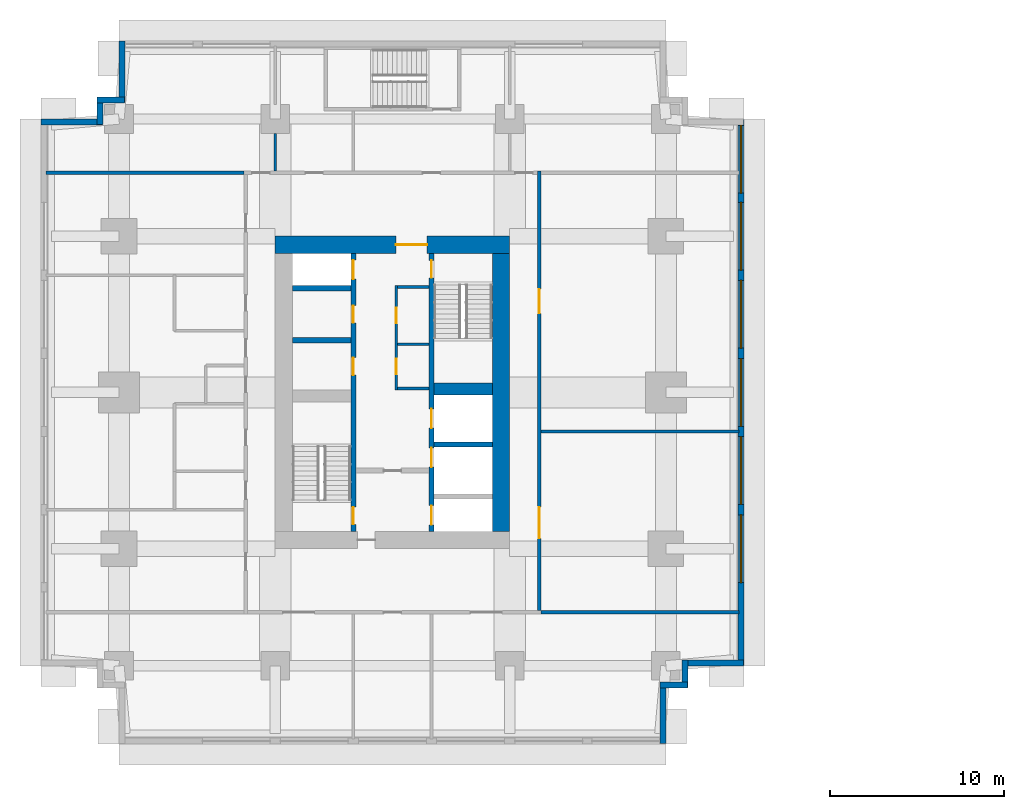
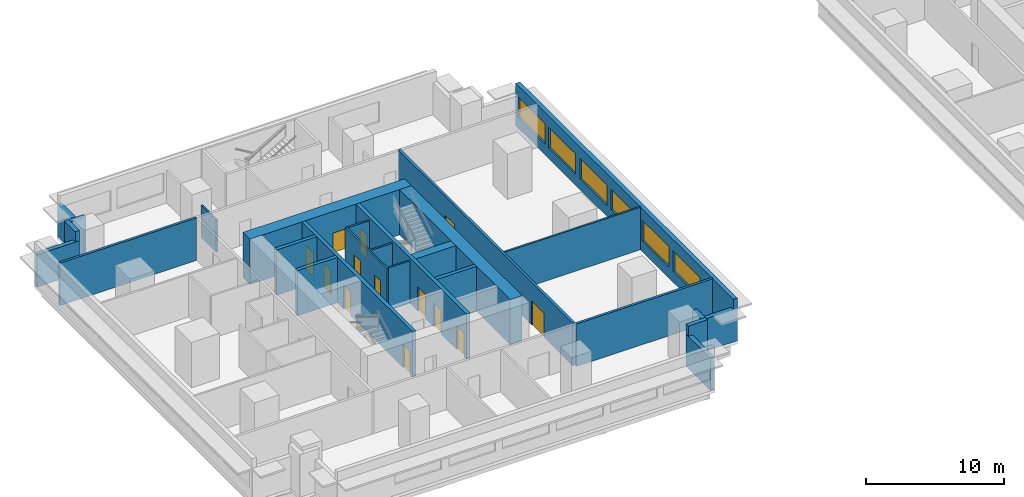
# One storey, part 4 of 11: 26 walls, 13 doors, 6 windows, 19 openings.
"""IFC4 building model written with IfcOpenShell, lengths in metres."""

from ifc_helpers import new_model, si_unit, direction, frame, frame_2d, origin, place, context, subcontext, project, spatial, rectangle, extrude, material, layer, layer_set, type_object, element, fill, save


model = new_model("IFC4")

# Units and contexts
model_context = context("Model", 3, precision=1e-05, world=origin(), true_north=direction((0.0, 1.0)))
body_context = subcontext(model_context, "Body", "Model", "MODEL_VIEW")
ifc_project = project(units=[si_unit("LENGTHUNIT", "METRE"), si_unit("AREAUNIT", "SQUARE_METRE"), si_unit("VOLUMEUNIT", "CUBIC_METRE"), si_unit("PLANEANGLEUNIT", "RADIAN"), si_unit("MASSUNIT", "GRAM", prefix="KILO")], contexts=[model_context])

# Site, building, storey
site_placement = place(None, origin())
site = spatial("IfcSite", under=ifc_project, at=site_placement, CompositionType="ELEMENT")
building_placement = place(site_placement, origin())
building = spatial("IfcBuilding", under=site, at=building_placement, Name="Namib Vertical Campus", CompositionType="ELEMENT")
storey_placement = place(building_placement, frame((0.0, 0.0, 193.0)))
storey = spatial("IfcBuildingStorey", under=building, at=storey_placement, Name="L45", CompositionType="ELEMENT", Elevation=193.0)

# Wall, openings, doors
ifc_material_1 = material(Name="Concrete C60/75", Category="concrete")
ifc_layer_1 = layer(ifc_material_1, 0.300048828125)
ifc_layer_set_1 = layer_set([ifc_layer_1], Name="Concrete C60/75")
wall_type_1 = type_object("IfcWallType", Name="Core inner wall 300", PredefinedType="SHEAR", material=ifc_layer_set_1)
wall_1_placement = place(storey_placement, frame((18.0, 12.25, 0.0), z_axis=(0.0, 0.0, 1.0), x_axis=(0.0, 1.0, 0.0)))
wall_1 = element("IfcWall", 1, at=wall_1_placement, inside=storey, type_object=wall_type_1, Name="Core inner wall A L45 W1", PredefinedType="SHEAR", context=body_context, shape_type="SweptSolid", body=[
    extrude(rectangle(XDim=16.0, YDim=0.300048828125, at=frame_2d((8.0, 0.0))), origin(), (0.0, 0.0, 1.0), 4.0),
])
opening_1_placement = place(wall_1_placement, frame((0.39990234375, 0.0, 0.0)))
opening_1 = element("IfcOpeningElement", 2, at=opening_1_placement, cuts=wall_1, Name="Opening FD1", PredefinedType="OPENING", context=body_context, shape_type="SweptSolid", body=[
    extrude(rectangle(XDim=1.0, YDim=2.10009765625, at=frame_2d((0.5, 1.050048828125))), frame((0.0, 0.159912109375, 0.0), z_axis=(0.0, -1.0, 0.0), x_axis=(1.0, 0.0, 0.0)), (0.0, 0.0, 1.0), 0.320068359375),
])
opening_2_placement = place(wall_1_placement, frame((14.52490234375, 0.0, 0.0)))
opening_2 = element("IfcOpeningElement", 3, at=opening_2_placement, cuts=wall_1, Name="Opening LD1", PredefinedType="OPENING", context=body_context, shape_type="SweptSolid", body=[
    extrude(rectangle(XDim=1.10009765625, YDim=2.10009765625, at=frame_2d((0.550048828125, 1.050048828125))), frame((0.0, 0.159912109375, 0.0), z_axis=(0.0, -1.0, 0.0), x_axis=(1.0, 0.0, 0.0)), (0.0, 0.0, 1.0), 0.320068359375),
])
opening_3_placement = place(wall_1_placement, frame((9.0, 0.0, 0.0)))
opening_3 = element("IfcOpeningElement", 4, at=opening_3_placement, cuts=wall_1, Name="Opening D1", PredefinedType="OPENING", context=body_context, shape_type="SweptSolid", body=[
    extrude(rectangle(XDim=1.0, YDim=2.10009765625, at=frame_2d((0.5, 1.050048828125))), frame((0.0, 0.159912109375, 0.0), z_axis=(0.0, -1.0, 0.0), x_axis=(1.0, 0.0, 0.0)), (0.0, 0.0, 1.0), 0.320068359375),
])
opening_4_placement = place(wall_1_placement, frame((12.0, 0.0, 0.0)))
opening_4 = element("IfcOpeningElement", 5, at=opening_4_placement, cuts=wall_1, Name="Opening D1", PredefinedType="OPENING", context=body_context, shape_type="SweptSolid", body=[
    extrude(rectangle(XDim=1.0, YDim=2.10009765625, at=frame_2d((0.5, 1.050048828125))), frame((0.0, 0.159912109375, 0.0), z_axis=(0.0, -1.0, 0.0), x_axis=(1.0, 0.0, 0.0)), (0.0, 0.0, 1.0), 0.320068359375),
])
ifc_material_2 = material(Name="Timber door leaf", Category="wood")
door_type_1 = type_object("IfcDoorType", Name="Door single 1000x2100", OperationType="SINGLE_SWING_LEFT", PredefinedType="DOOR", material=ifc_material_2)
door_1_placement = place(opening_3_placement, origin())
door_1 = element("IfcDoor", 6, at=door_1_placement, inside=storey, type_object=door_type_1, Name="Door D1 Store A L45 P1", OperationType="SINGLE_SWING_LEFT", OverallHeight=2.10009765625, OverallWidth=1.0, PredefinedType="DOOR", context=body_context, shape_type="SweptSolid", body=[
    extrude(rectangle(XDim=1.0, YDim=2.10009765625, at=frame_2d((0.5, 1.050048828125))), frame((0.0, 0.02490234375, 0.0), z_axis=(0.0, -1.0, 0.0), x_axis=(1.0, 0.0, 0.0)), (0.0, 0.0, 1.0), 0.050048828125),
])
fill(opening_3, door_1)
door_2_placement = place(opening_4_placement, origin())
door_2 = element("IfcDoor", 7, at=door_2_placement, inside=storey, type_object=door_type_1, Name="Door D1 Comms room A L45 P2", OperationType="SINGLE_SWING_LEFT", OverallHeight=2.10009765625, OverallWidth=1.0, PredefinedType="DOOR", context=body_context, shape_type="SweptSolid", body=[
    extrude(rectangle(XDim=1.0, YDim=2.10009765625, at=frame_2d((0.5, 1.050048828125))), frame((0.0, 0.02490234375, 0.0), z_axis=(0.0, -1.0, 0.0), x_axis=(1.0, 0.0, 0.0)), (0.0, 0.0, 1.0), 0.050048828125),
])
fill(opening_4, door_2)
ifc_material_3 = material(Name="Steel fire door", Category="steel")
door_type_2 = type_object("IfcDoorType", Name="Fire door 1000x2100", OperationType="SINGLE_SWING_RIGHT", PredefinedType="DOOR", material=ifc_material_3)
door_3_placement = place(opening_1_placement, origin())
door_3 = element("IfcDoor", 8, at=door_3_placement, inside=storey, type_object=door_type_2, Name="Stair door FD1 A L45 S1", OperationType="SINGLE_SWING_LEFT", OverallHeight=2.10009765625, OverallWidth=1.0, PredefinedType="DOOR", context=body_context, shape_type="SweptSolid", body=[
    extrude(rectangle(XDim=1.0, YDim=2.10009765625, at=frame_2d((0.5, 1.050048828125))), frame((0.0, 0.02490234375, 0.0), z_axis=(0.0, -1.0, 0.0), x_axis=(1.0, 0.0, 0.0)), (0.0, 0.0, 1.0), 0.050048828125),
])
fill(opening_1, door_3)
ifc_material_4 = material(Name="Stainless steel lift door", Category="steel")
door_type_3 = type_object("IfcDoorType", Name="Lift landing door 1100x2100", OperationType="DOUBLE_DOOR_SLIDING", PredefinedType="DOOR", material=ifc_material_4)
door_4_placement = place(opening_2_placement, origin())
door_4 = element("IfcDoor", 9, at=door_4_placement, inside=storey, type_object=door_type_3, Name="Lift landing door LD1 A-P3 L45", OperationType="DOUBLE_DOOR_SLIDING", OverallHeight=2.10009765625, OverallWidth=1.10009765625, PredefinedType="DOOR", context=body_context, shape_type="SweptSolid", body=[
    extrude(rectangle(XDim=1.10009765625, YDim=2.10009765625, at=frame_2d((0.550048828125, 1.050048828125))), frame((0.0, 0.02490234375, 0.0), z_axis=(0.0, -1.0, 0.0), x_axis=(1.0, 0.0, 0.0)), (0.0, 0.0, 1.0), 0.050048828125),
])
fill(opening_2, door_4)

wall_2_placement = place(storey_placement, frame((22.5, 12.25, 0.0), z_axis=(0.0, 0.0, 1.0), x_axis=(0.0, 1.0, 0.0)))
wall_2 = element("IfcWall", 10, at=wall_2_placement, inside=storey, type_object=wall_type_1, Name="Core inner wall A L45 W2", PredefinedType="SHEAR", context=body_context, shape_type="SweptSolid", body=[
    extrude(rectangle(XDim=16.0, YDim=0.300048828125, at=frame_2d((8.0, 0.0))), origin(), (0.0, 0.0, 1.0), 4.0),
])
opening_5_placement = place(wall_2_placement, frame((14.60009765625, 0.0, 0.0)))
opening_5 = element("IfcOpeningElement", 11, at=opening_5_placement, cuts=wall_2, Name="Opening FD1", PredefinedType="OPENING", context=body_context, shape_type="SweptSolid", body=[
    extrude(rectangle(XDim=1.0, YDim=2.10009765625, at=frame_2d((0.5, 1.050048828125))), frame((0.0, 0.159912109375, 0.0), z_axis=(0.0, -1.0, 0.0), x_axis=(1.0, 0.0, 0.0)), (0.0, 0.0, 1.0), 0.320068359375),
])
opening_6_placement = place(wall_2_placement, frame((0.375, 0.0, 0.0)))
opening_6 = element("IfcOpeningElement", 12, at=opening_6_placement, cuts=wall_2, Name="Opening LD1", PredefinedType="OPENING", context=body_context, shape_type="SweptSolid", body=[
    extrude(rectangle(XDim=1.10009765625, YDim=2.10009765625, at=frame_2d((0.550048828125, 1.050048828125))), frame((0.0, 0.159912109375, 0.0), z_axis=(0.0, -1.0, 0.0), x_axis=(1.0, 0.0, 0.0)), (0.0, 0.0, 1.0), 0.320068359375),
])
opening_7_placement = place(wall_2_placement, frame((3.699951171875, 0.0, 0.0)))
opening_7 = element("IfcOpeningElement", 13, at=opening_7_placement, cuts=wall_2, Name="Opening LD1", PredefinedType="OPENING", context=body_context, shape_type="SweptSolid", body=[
    extrude(rectangle(XDim=1.10009765625, YDim=2.10009765625, at=frame_2d((0.550048828125, 1.050048828125))), frame((0.0, 0.159912109375, 0.0), z_axis=(0.0, -1.0, 0.0), x_axis=(1.0, 0.0, 0.0)), (0.0, 0.0, 1.0), 0.320068359375),
])
opening_8_placement = place(wall_2_placement, frame((5.949951171875, 0.0, 0.0)))
opening_8 = element("IfcOpeningElement", 14, at=opening_8_placement, cuts=wall_2, Name="Opening LD1", PredefinedType="OPENING", context=body_context, shape_type="SweptSolid", body=[
    extrude(rectangle(XDim=1.10009765625, YDim=2.10009765625, at=frame_2d((0.550048828125, 1.050048828125))), frame((0.0, 0.159912109375, 0.0), z_axis=(0.0, -1.0, 0.0), x_axis=(1.0, 0.0, 0.0)), (0.0, 0.0, 1.0), 0.320068359375),
])
door_5_placement = place(opening_5_placement, frame((1.0, 0.0, 0.0), z_axis=(0.0, 0.0, 1.0), x_axis=(-1.0, 0.0, 0.0)))
door_5 = element("IfcDoor", 15, at=door_5_placement, inside=storey, type_object=door_type_2, Name="Stair door FD1 A L45 S2", OperationType="SINGLE_SWING_LEFT", OverallHeight=2.10009765625, OverallWidth=1.0, PredefinedType="DOOR", context=body_context, shape_type="SweptSolid", body=[
    extrude(rectangle(XDim=1.0, YDim=2.10009765625, at=frame_2d((0.5, 1.050048828125))), frame((0.0, 0.02490234375, 0.0), z_axis=(0.0, -1.0, 0.0), x_axis=(1.0, 0.0, 0.0)), (0.0, 0.0, 1.0), 0.050048828125),
])
fill(opening_5, door_5)
door_6_placement = place(opening_6_placement, origin())
door_6 = element("IfcDoor", 16, at=door_6_placement, inside=storey, type_object=door_type_3, Name="Lift landing door LD1 A-FL1 L45", OperationType="DOUBLE_DOOR_SLIDING", OverallHeight=2.10009765625, OverallWidth=1.10009765625, PredefinedType="DOOR", context=body_context, shape_type="SweptSolid", body=[
    extrude(rectangle(XDim=1.10009765625, YDim=2.10009765625, at=frame_2d((0.550048828125, 1.050048828125))), frame((0.0, 0.02490234375, 0.0), z_axis=(0.0, -1.0, 0.0), x_axis=(1.0, 0.0, 0.0)), (0.0, 0.0, 1.0), 0.050048828125),
])
fill(opening_6, door_6)
door_7_placement = place(opening_7_placement, origin())
door_7 = element("IfcDoor", 17, at=door_7_placement, inside=storey, type_object=door_type_3, Name="Lift landing door LD1 A-P4 L45", OperationType="DOUBLE_DOOR_SLIDING", OverallHeight=2.10009765625, OverallWidth=1.10009765625, PredefinedType="DOOR", context=body_context, shape_type="SweptSolid", body=[
    extrude(rectangle(XDim=1.10009765625, YDim=2.10009765625, at=frame_2d((0.550048828125, 1.050048828125))), frame((0.0, 0.02490234375, 0.0), z_axis=(0.0, -1.0, 0.0), x_axis=(1.0, 0.0, 0.0)), (0.0, 0.0, 1.0), 0.050048828125),
])
fill(opening_7, door_7)
door_8_placement = place(opening_8_placement, origin())
door_8 = element("IfcDoor", 18, at=door_8_placement, inside=storey, type_object=door_type_3, Name="Lift landing door LD1 A-P5 L45", OperationType="DOUBLE_DOOR_SLIDING", OverallHeight=2.10009765625, OverallWidth=1.10009765625, PredefinedType="DOOR", context=body_context, shape_type="SweptSolid", body=[
    extrude(rectangle(XDim=1.10009765625, YDim=2.10009765625, at=frame_2d((0.550048828125, 1.050048828125))), frame((0.0, 0.02490234375, 0.0), z_axis=(0.0, -1.0, 0.0), x_axis=(1.0, 0.0, 0.0)), (0.0, 0.0, 1.0), 0.050048828125),
])
fill(opening_8, door_8)

# Walls
for number, where, z_axis, x_axis, name in (
    (19, (22.64990234375, 17.25, 0.0), (0.0, 0.0, 1.0), (1.0, 0.0, 0.0), "Core inner wall A L45 W6"),
    (20, (14.5, 23.25, 0.0), (0.0, 0.0, 1.0), (1.0, 0.0, 0.0), "Core inner wall A L45 W8"),
    (21, (14.5, 26.25, 0.0), (0.0, 0.0, 1.0), (1.0, 0.0, 0.0), "Core inner wall A L45 W9"),
):
    element("IfcWall", number, at=place(storey_placement, frame(where, z_axis=z_axis, x_axis=x_axis)), inside=storey, type_object=wall_type_1, Name=name, PredefinedType="SHEAR", context=body_context, shape_type="SweptSolid", body=[
        extrude(rectangle(XDim=3.35009765625, YDim=0.300048828125, at=frame_2d((1.675048828125, 0.0))), origin(), (0.0, 0.0, 1.0), 4.0),
    ])
ifc_material_5 = material(Name="Concrete C60/75", Category="concrete")
ifc_layer_2 = layer(ifc_material_5, 0.699951171875)
ifc_layer_set_2 = layer_set([ifc_layer_2], Name="Concrete C60/75")
wall_type_2 = type_object("IfcWallType", Name="Core shear wall 700", PredefinedType="SHEAR", material=ifc_layer_set_2)
wall_3_placement = place(storey_placement, frame((22.64990234375, 20.449951171875, 0.0), z_axis=(0.0, 0.0, 1.0), x_axis=(1.0, 0.0, 0.0)))
element("IfcWall", 22, at=wall_3_placement, inside=storey, type_object=wall_type_2, Name="Core shear wall A L45 W7", PredefinedType="SHEAR", context=body_context, shape_type="SweptSolid", body=[
    extrude(rectangle(XDim=3.35009765625, YDim=0.699951171875, at=frame_2d((1.675048828125, 0.0))), origin(), (0.0, 0.0, 1.0), 4.0),
])
ifc_material_6 = material(Name="Concrete C60/75", Category="concrete")
ifc_layer_3 = layer(ifc_material_6, 1.0)
ifc_layer_set_3 = layer_set([ifc_layer_3], Name="Concrete C60/75")
wall_type_3 = type_object("IfcWallType", Name="Core wall 1000", PredefinedType="SHEAR", material=ifc_layer_set_3)
wall_4_placement = place(storey_placement, frame((26.5, 12.25, 0.0), z_axis=(0.0, 0.0, 1.0), x_axis=(0.0, 1.0, 0.0)))
element("IfcWall", 23, at=wall_4_placement, inside=storey, type_object=wall_type_3, Name="Core wall A L45 2", PredefinedType="SHEAR", context=body_context, shape_type="SweptSolid", body=[
    extrude(rectangle(XDim=16.0, YDim=1.0, at=frame_2d((8.0, 0.0))), origin(), (0.0, 0.0, 1.0), 4.0),
])

# Wall, opening, door
wall_5_placement = place(storey_placement, frame((27.0, 28.75, 0.0), z_axis=(0.0, 0.0, 1.0), x_axis=(-1.0, 0.0, 0.0)))
wall_5 = element("IfcWall", 24, at=wall_5_placement, inside=storey, type_object=wall_type_3, Name="Core wall A L45 3", PredefinedType="SHEAR", context=body_context, shape_type="SweptSolid", body=[
    extrude(rectangle(XDim=13.5, YDim=1.0, at=frame_2d((6.75, 0.0))), origin(), (0.0, 0.0, 1.0), 4.0),
])
opening_9_placement = place(wall_5_placement, frame((4.75, 0.0, 0.0)))
opening_9 = element("IfcOpeningElement", 25, at=opening_9_placement, cuts=wall_5, Name="Opening FD2", PredefinedType="OPENING", context=body_context, shape_type="SweptSolid", body=[
    extrude(rectangle(XDim=1.800048828125, YDim=2.10009765625, at=frame_2d((0.89990234375, 1.050048828125))), frame((0.0, 0.510009765625, 0.0), z_axis=(0.0, -1.0, 0.0), x_axis=(1.0, 0.0, 0.0)), (0.0, 0.0, 1.0), 1.02001953125),
])
ifc_material_7 = material(Name="Steel fire door", Category="steel")
door_type_4 = type_object("IfcDoorType", Name="Fire door double 1800x2100", OperationType="DOUBLE_DOOR_SINGLE_SWING", PredefinedType="DOOR", material=ifc_material_7)
door_9_placement = place(opening_9_placement, origin())
door_9 = element("IfcDoor", 26, at=door_9_placement, inside=storey, type_object=door_type_4, Name="Lift lobby door FD2 A L45", OperationType="DOUBLE_DOOR_SINGLE_SWING", OverallHeight=2.10009765625, OverallWidth=1.800048828125, PredefinedType="DOOR", context=body_context, shape_type="SweptSolid", body=[
    extrude(rectangle(XDim=1.800048828125, YDim=2.10009765625, at=frame_2d((0.89990234375, 1.050048828125))), frame((0.0, 0.02490234375, 0.0), z_axis=(0.0, -1.0, 0.0), x_axis=(1.0, 0.0, 0.0)), (0.0, 0.0, 1.0), 0.050048828125),
])
fill(opening_9, door_9)

# Wall, openings, doors
ifc_material_8 = material(Name="Concrete masonry", Category="masonry")
ifc_layer_4 = layer(ifc_material_8, 0.199951171875)
ifc_layer_set_4 = layer_set([ifc_layer_4], Name="Corridor wall 200")
wall_type_4 = type_object("IfcWallType", Name="Corridor wall 200", PredefinedType="SOLIDWALL", material=ifc_layer_set_4)
wall_6_placement = place(storey_placement, frame((28.699951171875, 7.699951171875, 0.0), z_axis=(0.0, 0.0, 1.0), x_axis=(0.0, 1.0, 0.0)))
wall_6 = element("IfcWall", 27, at=wall_6_placement, inside=storey, type_object=wall_type_4, Name="Corridor wall A L45 CE", PredefinedType="SOLIDWALL", context=body_context, shape_type="SweptSolid", body=[
    extrude(rectangle(XDim=25.300048828125, YDim=0.199951171875, at=frame_2d((12.64990234375, 0.0))), origin(), (0.0, 0.0, 1.0), 3.75),
])
opening_10_placement = place(wall_6_placement, frame((4.14990234375, 0.0, 0.0)))
opening_10 = element("IfcOpeningElement", 28, at=opening_10_placement, cuts=wall_6, Name="Opening CD2", PredefinedType="OPENING", context=body_context, shape_type="SweptSolid", body=[
    extrude(rectangle(XDim=1.800048828125, YDim=2.10009765625, at=frame_2d((0.89990234375, 1.050048828125))), frame((0.0, 0.10986328125, 0.0), z_axis=(0.0, -1.0, 0.0), x_axis=(1.0, 0.0, 0.0)), (0.0, 0.0, 1.0), 0.219970703125),
])
opening_11_placement = place(wall_6_placement, frame((17.10009765625, 0.0, 0.0)))
opening_11 = element("IfcOpeningElement", 29, at=opening_11_placement, cuts=wall_6, Name="Opening LB1", PredefinedType="OPENING", context=body_context, shape_type="SweptSolid", body=[
    extrude(rectangle(XDim=1.39990234375, YDim=2.10009765625, at=frame_2d((0.699951171875, 1.050048828125))), frame((0.0, 0.10986328125, 0.0), z_axis=(0.0, -1.0, 0.0), x_axis=(1.0, 0.0, 0.0)), (0.0, 0.0, 1.0), 0.219970703125),
])
ifc_material_9 = material(Name="Timber fire door leaf", Category="wood")
door_type_5 = type_object("IfcDoorType", Name="Corridor door double 1800x2100 20 min", OperationType="DOUBLE_DOOR_SINGLE_SWING", PredefinedType="DOOR", material=ifc_material_9)
door_10_placement = place(opening_10_placement, frame((1.800048828125, 0.0, 0.0), z_axis=(0.0, 0.0, 1.0), x_axis=(-1.0, 0.0, 0.0)))
door_10 = element("IfcDoor", 30, at=door_10_placement, inside=storey, type_object=door_type_5, Name="Door CD2 A45-04", OperationType="DOUBLE_DOOR_SINGLE_SWING", OverallHeight=2.10009765625, OverallWidth=1.800048828125, PredefinedType="DOOR", context=body_context, shape_type="SweptSolid", body=[
    extrude(rectangle(XDim=1.800048828125, YDim=2.10009765625, at=frame_2d((0.89990234375, 1.050048828125))), frame((0.0, 0.02490234375, 0.0), z_axis=(0.0, -1.0, 0.0), x_axis=(1.0, 0.0, 0.0)), (0.0, 0.0, 1.0), 0.050048828125),
])
fill(opening_10, door_10)
ifc_material_10 = material(Name="Timber fire door leaf", Category="wood")
door_type_6 = type_object("IfcDoorType", Name="Laboratory door 1400x2100 leaf and a half", OperationType="DOUBLE_DOOR_SINGLE_SWING", PredefinedType="DOOR", material=ifc_material_10)
door_11_placement = place(opening_11_placement, frame((1.39990234375, 0.0, 0.0), z_axis=(0.0, 0.0, 1.0), x_axis=(-1.0, 0.0, 0.0)))
door_11 = element("IfcDoor", 31, at=door_11_placement, inside=storey, type_object=door_type_6, Name="Door LB1 A45-05", OperationType="DOUBLE_DOOR_SINGLE_SWING", OverallHeight=2.10009765625, OverallWidth=1.39990234375, PredefinedType="DOOR", context=body_context, shape_type="SweptSolid", body=[
    extrude(rectangle(XDim=1.39990234375, YDim=2.10009765625, at=frame_2d((0.699951171875, 1.050048828125))), frame((0.0, 0.02490234375, 0.0), z_axis=(0.0, -1.0, 0.0), x_axis=(1.0, 0.0, 0.0)), (0.0, 0.0, 1.0), 0.050048828125),
])
fill(opening_11, door_11)

# Walls
for number, where, z_axis, x_axis, name in (
    (32, (28.800048828125, 7.60009765625, 0.0), (0.0, 0.0, 1.0), (1.0, 0.0, 0.0), "Partition A L45 BSE"),
    (33, (0.300048828125, 32.89990234375, 0.0), (0.0, 0.0, 1.0), (1.0, 0.0, 0.0), "Partition A L45 BNW"),
):
    element("IfcWall", number, at=place(storey_placement, frame(where, z_axis=z_axis, x_axis=x_axis)), inside=storey, type_object=wall_type_4, Name=name, PredefinedType="SOLIDWALL", context=body_context, shape_type="SweptSolid", body=[
        extrude(rectangle(XDim=11.39990234375, YDim=0.199951171875, at=frame_2d((5.699951171875, 0.0))), origin(), (0.0, 0.0, 1.0), 3.75),
    ])
ifc_material_11 = material(Name="Concrete C40/50", Category="concrete")
ifc_layer_5 = layer(ifc_material_11, 0.35009765625)
ifc_layer_set_5 = layer_set([ifc_layer_5], Name="Concrete C40/50")
wall_type_5 = type_object("IfcWallType", Name="External wall 350 bush-hammered concrete", PredefinedType="STANDARD", material=ifc_layer_set_5)
wall_7_placement = place(storey_placement, frame((35.824951171875, 0.02001953125, 0.0), z_axis=(0.0, 0.0, 1.0), x_axis=(0.0, 1.0, 0.0)))
element("IfcWall", 34, at=wall_7_placement, inside=storey, type_object=wall_type_5, Name="External wall L45 F02", PredefinedType="STANDARD", context=body_context, shape_type="SweptSolid", body=[
    extrude(rectangle(XDim=3.534912109375, YDim=0.35009765625, at=frame_2d((1.767578125, 0.0))), origin(), (0.0, 0.0, 1.0), 2.85009765625),
])
for number, where, z_axis, x_axis, name in (
    (35, (35.669921875, 3.39990234375, 0.0), (0.0, 0.0, 1.0), (1.0, 0.0, 0.0), "External wall L45 F03"),
    (36, (37.10009765625, 3.2451171875, 0.0), (0.0, 0.0, 1.0), (0.0, 1.0, 0.0), "External wall L45 F04"),
):
    element("IfcWall", number, at=place(storey_placement, frame(where, z_axis=z_axis, x_axis=x_axis)), inside=storey, type_object=wall_type_5, Name=name, PredefinedType="STANDARD", context=body_context, shape_type="SweptSolid", body=[
        extrude(rectangle(XDim=1.5849609375, YDim=0.35009765625, at=frame_2d((0.79248046875, 0.0))), origin(), (0.0, 0.0, 1.0), 3.75),
    ])
wall_8_placement = place(storey_placement, frame((36.945068359375, 4.675048828125, 0.0), z_axis=(0.0, 0.0, 1.0), x_axis=(1.0, 0.0, 0.0)))
element("IfcWall", 37, at=wall_8_placement, inside=storey, type_object=wall_type_5, Name="External wall L45 F05", PredefinedType="STANDARD", context=body_context, shape_type="SweptSolid", body=[
    extrude(rectangle(XDim=3.534912109375, YDim=0.35009765625, at=frame_2d((1.767578125, 0.0))), origin(), (0.0, 0.0, 1.0), 2.85009765625),
])

# Wall, openings, windows
wall_9_placement = place(storey_placement, frame((40.324951171875, 4.52001953125, 0.0), z_axis=(0.0, 0.0, 1.0), x_axis=(0.0, 1.0, 0.0)))
wall_9 = element("IfcWall", 38, at=wall_9_placement, inside=storey, type_object=wall_type_5, Name="External wall L45 F06", PredefinedType="STANDARD", context=body_context, shape_type="SweptSolid", body=[
    extrude(rectangle(XDim=31.4599609375, YDim=0.35009765625, at=frame_2d((15.72998046875, 0.0))), origin(), (0.0, 0.0, 1.0), 3.75),
])
opening_12_placement = place(wall_9_placement, frame((4.780029296875, 0.0, 0.949951171875)))
opening_12 = element("IfcOpeningElement", 39, at=opening_12_placement, cuts=wall_9, Name="Opening W3", PredefinedType="OPENING", context=body_context, shape_type="SweptSolid", body=[
    extrude(rectangle(XDim=3.89990234375, YDim=1.800048828125, at=frame_2d((1.949951171875, 0.89990234375))), frame((0.0, 0.18505859375, 0.0), z_axis=(0.0, -1.0, 0.0), x_axis=(1.0, 0.0, 0.0)), (0.0, 0.0, 1.0), 0.3701171875),
])
opening_13_placement = place(wall_9_placement, frame((9.280029296875, 0.0, 0.949951171875)))
opening_13 = element("IfcOpeningElement", 40, at=opening_13_placement, cuts=wall_9, Name="Opening W3", PredefinedType="OPENING", context=body_context, shape_type="SweptSolid", body=[
    extrude(rectangle(XDim=3.89990234375, YDim=1.800048828125, at=frame_2d((1.949951171875, 0.89990234375))), frame((0.0, 0.18505859375, 0.0), z_axis=(0.0, -1.0, 0.0), x_axis=(1.0, 0.0, 0.0)), (0.0, 0.0, 1.0), 0.3701171875),
])
opening_14_placement = place(wall_9_placement, frame((13.780029296875, 0.0, 0.949951171875)))
opening_14 = element("IfcOpeningElement", 41, at=opening_14_placement, cuts=wall_9, Name="Opening W3", PredefinedType="OPENING", context=body_context, shape_type="SweptSolid", body=[
    extrude(rectangle(XDim=3.89990234375, YDim=1.800048828125, at=frame_2d((1.949951171875, 0.89990234375))), frame((0.0, 0.18505859375, 0.0), z_axis=(0.0, -1.0, 0.0), x_axis=(1.0, 0.0, 0.0)), (0.0, 0.0, 1.0), 0.3701171875),
])
opening_15_placement = place(wall_9_placement, frame((18.280029296875, 0.0, 0.949951171875)))
opening_15 = element("IfcOpeningElement", 42, at=opening_15_placement, cuts=wall_9, Name="Opening W3", PredefinedType="OPENING", context=body_context, shape_type="SweptSolid", body=[
    extrude(rectangle(XDim=3.89990234375, YDim=1.800048828125, at=frame_2d((1.949951171875, 0.89990234375))), frame((0.0, 0.18505859375, 0.0), z_axis=(0.0, -1.0, 0.0), x_axis=(1.0, 0.0, 0.0)), (0.0, 0.0, 1.0), 0.3701171875),
])
opening_16_placement = place(wall_9_placement, frame((22.780029296875, 0.0, 0.949951171875)))
opening_16 = element("IfcOpeningElement", 43, at=opening_16_placement, cuts=wall_9, Name="Opening W3", PredefinedType="OPENING", context=body_context, shape_type="SweptSolid", body=[
    extrude(rectangle(XDim=3.89990234375, YDim=1.800048828125, at=frame_2d((1.949951171875, 0.89990234375))), frame((0.0, 0.18505859375, 0.0), z_axis=(0.0, -1.0, 0.0), x_axis=(1.0, 0.0, 0.0)), (0.0, 0.0, 1.0), 0.3701171875),
])
opening_17_placement = place(wall_9_placement, frame((27.2099609375, 0.0, 0.949951171875)))
opening_17 = element("IfcOpeningElement", 44, at=opening_17_placement, cuts=wall_9, Name="Opening W3", PredefinedType="OPENING", context=body_context, shape_type="SweptSolid", body=[
    extrude(rectangle(XDim=3.89990234375, YDim=1.800048828125, at=frame_2d((1.949951171875, 0.89990234375))), frame((0.0, 0.18505859375, 0.0), z_axis=(0.0, -1.0, 0.0), x_axis=(1.0, 0.0, 0.0)), (0.0, 0.0, 1.0), 0.3701171875),
])
ifc_material_12 = material(Name="Dark tinted glass in black aluminium frame", Category="aluminium")
window_type = type_object("IfcWindowType", Name="Ribbon window 3900x1800", PartitioningType="SINGLE_PANEL", PredefinedType="WINDOW", material=ifc_material_12)
window_1_placement = place(opening_12_placement, origin())
window_1 = element("IfcWindow", 45, at=window_1_placement, inside=storey, type_object=window_type, Name="Window W3 L45 F06-2", OverallHeight=1.800048828125, OverallWidth=3.89990234375, PartitioningType="SINGLE_PANEL", PredefinedType="WINDOW", context=body_context, shape_type="SweptSolid", body=[
    extrude(rectangle(XDim=3.89990234375, YDim=1.800048828125, at=frame_2d((1.949951171875, 0.89990234375))), frame((0.0, 0.030029296875, 0.0), z_axis=(0.0, -1.0, 0.0), x_axis=(1.0, 0.0, 0.0)), (0.0, 0.0, 1.0), 0.06005859375),
])
fill(opening_12, window_1)
window_2_placement = place(opening_13_placement, origin())
window_2 = element("IfcWindow", 46, at=window_2_placement, inside=storey, type_object=window_type, Name="Window W3 L45 F06-3", OverallHeight=1.800048828125, OverallWidth=3.89990234375, PartitioningType="SINGLE_PANEL", PredefinedType="WINDOW", context=body_context, shape_type="SweptSolid", body=[
    extrude(rectangle(XDim=3.89990234375, YDim=1.800048828125, at=frame_2d((1.949951171875, 0.89990234375))), frame((0.0, 0.030029296875, 0.0), z_axis=(0.0, -1.0, 0.0), x_axis=(1.0, 0.0, 0.0)), (0.0, 0.0, 1.0), 0.06005859375),
])
fill(opening_13, window_2)
window_3_placement = place(opening_14_placement, origin())
window_3 = element("IfcWindow", 47, at=window_3_placement, inside=storey, type_object=window_type, Name="Window W3 L45 F06-4", OverallHeight=1.800048828125, OverallWidth=3.89990234375, PartitioningType="SINGLE_PANEL", PredefinedType="WINDOW", context=body_context, shape_type="SweptSolid", body=[
    extrude(rectangle(XDim=3.89990234375, YDim=1.800048828125, at=frame_2d((1.949951171875, 0.89990234375))), frame((0.0, 0.030029296875, 0.0), z_axis=(0.0, -1.0, 0.0), x_axis=(1.0, 0.0, 0.0)), (0.0, 0.0, 1.0), 0.06005859375),
])
fill(opening_14, window_3)
window_4_placement = place(opening_15_placement, origin())
window_4 = element("IfcWindow", 48, at=window_4_placement, inside=storey, type_object=window_type, Name="Window W3 L45 F06-5", OverallHeight=1.800048828125, OverallWidth=3.89990234375, PartitioningType="SINGLE_PANEL", PredefinedType="WINDOW", context=body_context, shape_type="SweptSolid", body=[
    extrude(rectangle(XDim=3.89990234375, YDim=1.800048828125, at=frame_2d((1.949951171875, 0.89990234375))), frame((0.0, 0.030029296875, 0.0), z_axis=(0.0, -1.0, 0.0), x_axis=(1.0, 0.0, 0.0)), (0.0, 0.0, 1.0), 0.06005859375),
])
fill(opening_15, window_4)
window_5_placement = place(opening_16_placement, origin())
window_5 = element("IfcWindow", 49, at=window_5_placement, inside=storey, type_object=window_type, Name="Window W3 L45 F06-6", OverallHeight=1.800048828125, OverallWidth=3.89990234375, PartitioningType="SINGLE_PANEL", PredefinedType="WINDOW", context=body_context, shape_type="SweptSolid", body=[
    extrude(rectangle(XDim=3.89990234375, YDim=1.800048828125, at=frame_2d((1.949951171875, 0.89990234375))), frame((0.0, 0.030029296875, 0.0), z_axis=(0.0, -1.0, 0.0), x_axis=(1.0, 0.0, 0.0)), (0.0, 0.0, 1.0), 0.06005859375),
])
fill(opening_16, window_5)
window_6_placement = place(opening_17_placement, origin())
window_6 = element("IfcWindow", 50, at=window_6_placement, inside=storey, type_object=window_type, Name="Window W3 L45 F06-7", OverallHeight=1.800048828125, OverallWidth=3.89990234375, PartitioningType="SINGLE_PANEL", PredefinedType="WINDOW", context=body_context, shape_type="SweptSolid", body=[
    extrude(rectangle(XDim=3.89990234375, YDim=1.800048828125, at=frame_2d((1.949951171875, 0.89990234375))), frame((0.0, 0.030029296875, 0.0), z_axis=(0.0, -1.0, 0.0), x_axis=(1.0, 0.0, 0.0)), (0.0, 0.0, 1.0), 0.06005859375),
])
fill(opening_17, window_6)

# Walls
wall_10_placement = place(storey_placement, frame((4.675048828125, 40.47998046875, 0.0), z_axis=(0.0, 0.0, 1.0), x_axis=(0.0, -1.0, 0.0)))
element("IfcWall", 51, at=wall_10_placement, inside=storey, type_object=wall_type_5, Name="External wall L45 F12", PredefinedType="STANDARD", context=body_context, shape_type="SweptSolid", body=[
    extrude(rectangle(XDim=3.534912109375, YDim=0.35009765625, at=frame_2d((1.767578125, 0.0))), origin(), (0.0, 0.0, 1.0), 2.85009765625),
])
for number, where, z_axis, x_axis, name in (
    (52, (4.830078125, 37.10009765625, 0.0), (0.0, 0.0, 1.0), (-1.0, 0.0, 0.0), "External wall L45 F13"),
    (53, (3.39990234375, 37.2548828125, 0.0), (0.0, 0.0, 1.0), (0.0, -1.0, 0.0), "External wall L45 F14"),
):
    element("IfcWall", number, at=place(storey_placement, frame(where, z_axis=z_axis, x_axis=x_axis)), inside=storey, type_object=wall_type_5, Name=name, PredefinedType="STANDARD", context=body_context, shape_type="SweptSolid", body=[
        extrude(rectangle(XDim=1.5849609375, YDim=0.35009765625, at=frame_2d((0.79248046875, 0.0))), origin(), (0.0, 0.0, 1.0), 3.75),
    ])
wall_11_placement = place(storey_placement, frame((3.554931640625, 35.824951171875, 0.0), z_axis=(0.0, 0.0, 1.0), x_axis=(-1.0, 0.0, 0.0)))
element("IfcWall", 54, at=wall_11_placement, inside=storey, type_object=wall_type_5, Name="External wall L45 F15", PredefinedType="STANDARD", context=body_context, shape_type="SweptSolid", body=[
    extrude(rectangle(XDim=3.534912109375, YDim=0.35009765625, at=frame_2d((1.767578125, 0.0))), origin(), (0.0, 0.0, 1.0), 2.85009765625),
])

# Wall, openings, doors
ifc_material_13 = material(Name="Gypsum board on steel studs", Category="steel")
ifc_layer_6 = layer(ifc_material_13, 0.14990234375)
ifc_layer_set_6 = layer_set([ifc_layer_6], Name="Gypsum board on steel studs")
wall_type_6 = type_object("IfcWallType", Name="Partition 150", PredefinedType="PARTITIONING", material=ifc_layer_set_6)
wall_12_placement = place(storey_placement, frame((20.47509765625, 20.39990234375, 0.0), z_axis=(0.0, 0.0, 1.0), x_axis=(0.0, 1.0, 0.0)))
wall_12 = element("IfcWall", 55, at=wall_12_placement, inside=storey, type_object=wall_type_6, Name="Partition A L45 Comms room and Store front", PredefinedType="PARTITIONING", context=body_context, shape_type="SweptSolid", body=[
    extrude(rectangle(XDim=6.0, YDim=0.14990234375, at=frame_2d((3.0, 0.0))), origin(), (0.0, 0.0, 1.0), 3.75),
])
opening_18_placement = place(wall_12_placement, frame((0.89990234375, 0.0, 0.0)))
opening_18 = element("IfcOpeningElement", 56, at=opening_18_placement, cuts=wall_12, Name="Opening D3", PredefinedType="OPENING", context=body_context, shape_type="SweptSolid", body=[
    extrude(rectangle(XDim=0.89990234375, YDim=2.10009765625, at=frame_2d((0.449951171875, 1.050048828125))), frame((0.0, 0.0849609375, 0.0), z_axis=(0.0, -1.0, 0.0), x_axis=(1.0, 0.0, 0.0)), (0.0, 0.0, 1.0), 0.169921875),
])
opening_19_placement = place(wall_12_placement, frame((3.824951171875, 0.0, 0.0)))
opening_19 = element("IfcOpeningElement", 57, at=opening_19_placement, cuts=wall_12, Name="Opening D3", PredefinedType="OPENING", context=body_context, shape_type="SweptSolid", body=[
    extrude(rectangle(XDim=0.89990234375, YDim=2.10009765625, at=frame_2d((0.449951171875, 1.050048828125))), frame((0.0, 0.0849609375, 0.0), z_axis=(0.0, -1.0, 0.0), x_axis=(1.0, 0.0, 0.0)), (0.0, 0.0, 1.0), 0.169921875),
])
ifc_material_14 = material(Name="Timber door leaf", Category="wood")
door_type_7 = type_object("IfcDoorType", Name="Toilet door 900x2100", OperationType="SINGLE_SWING_LEFT", PredefinedType="DOOR", material=ifc_material_14)
door_12_placement = place(opening_18_placement, frame((0.89990234375, 0.0, 0.0), z_axis=(0.0, 0.0, 1.0), x_axis=(-1.0, 0.0, 0.0)))
door_12 = element("IfcDoor", 58, at=door_12_placement, inside=storey, type_object=door_type_7, Name="Door D3 Comms room A L45", OperationType="SINGLE_SWING_RIGHT", OverallHeight=2.10009765625, OverallWidth=0.89990234375, PredefinedType="DOOR", context=body_context, shape_type="SweptSolid", body=[
    extrude(rectangle(XDim=0.89990234375, YDim=2.10009765625, at=frame_2d((0.449951171875, 1.050048828125))), frame((0.0, 0.02490234375, 0.0), z_axis=(0.0, -1.0, 0.0), x_axis=(1.0, 0.0, 0.0)), (0.0, 0.0, 1.0), 0.050048828125),
])
fill(opening_18, door_12)
door_13_placement = place(opening_19_placement, frame((0.89990234375, 0.0, 0.0), z_axis=(0.0, 0.0, 1.0), x_axis=(-1.0, 0.0, 0.0)))
door_13 = element("IfcDoor", 59, at=door_13_placement, inside=storey, type_object=door_type_7, Name="Door D3 Store A L45", OperationType="SINGLE_SWING_RIGHT", OverallHeight=2.10009765625, OverallWidth=0.89990234375, PredefinedType="DOOR", context=body_context, shape_type="SweptSolid", body=[
    extrude(rectangle(XDim=0.89990234375, YDim=2.10009765625, at=frame_2d((0.449951171875, 1.050048828125))), frame((0.0, 0.02490234375, 0.0), z_axis=(0.0, -1.0, 0.0), x_axis=(1.0, 0.0, 0.0)), (0.0, 0.0, 1.0), 0.050048828125),
])
fill(opening_19, door_13)

# Walls
for number, where, z_axis, x_axis, name in (
    (60, (20.550048828125, 20.47509765625, 0.0), (0.0, 0.0, 1.0), (1.0, 0.0, 0.0), "Partition A L45 Comms room and Store end 1"),
    (61, (20.550048828125, 23.02490234375, 0.0), (0.0, 0.0, 1.0), (1.0, 0.0, 0.0), "Partition A L45 Comms room and Store division 2"),
    (62, (20.550048828125, 26.324951171875, 0.0), (0.0, 0.0, 1.0), (1.0, 0.0, 0.0), "Partition A L45 Comms room and Store end 3"),
):
    element("IfcWall", number, at=place(storey_placement, frame(where, z_axis=z_axis, x_axis=x_axis)), inside=storey, type_object=wall_type_6, Name=name, PredefinedType="PARTITIONING", context=body_context, shape_type="SweptSolid", body=[
        extrude(rectangle(XDim=1.800048828125, YDim=0.14990234375, at=frame_2d((0.89990234375, 0.0))), origin(), (0.0, 0.0, 1.0), 3.75),
    ])
wall_13_placement = place(storey_placement, frame((13.5, 33.0, 0.0), z_axis=(0.0, 0.0, 1.0), x_axis=(0.0, 1.0, 0.0)))
element("IfcWall", 63, at=wall_13_placement, inside=storey, type_object=wall_type_6, Name="Partition A L45 PN1", PredefinedType="PARTITIONING", context=body_context, shape_type="SweptSolid", body=[
    extrude(rectangle(XDim=2.155029296875, YDim=0.14990234375, at=frame_2d((1.07763671875, 0.0))), origin(), (0.0, 0.0, 1.0), 2.85009765625),
])
wall_14_placement = place(storey_placement, frame((28.800048828125, 18.0, 0.0), z_axis=(0.0, 0.0, 1.0), x_axis=(1.0, 0.0, 0.0)))
element("IfcWall", 64, at=wall_14_placement, inside=storey, type_object=wall_type_6, Name="Partition A L45 PE1", PredefinedType="PARTITIONING", context=body_context, shape_type="SweptSolid", body=[
    extrude(rectangle(XDim=11.39990234375, YDim=0.14990234375, at=frame_2d((5.699951171875, 0.0))), origin(), (0.0, 0.0, 1.0), 3.75),
])

save(model, "model.ifc")
